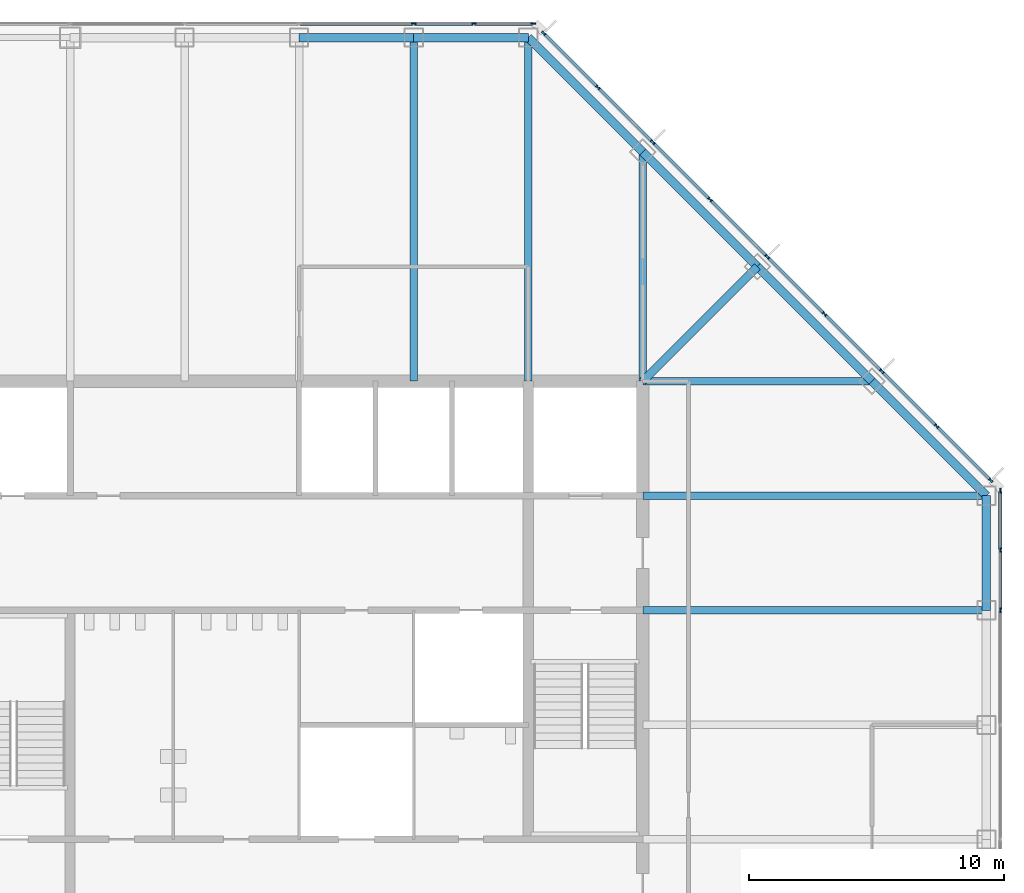
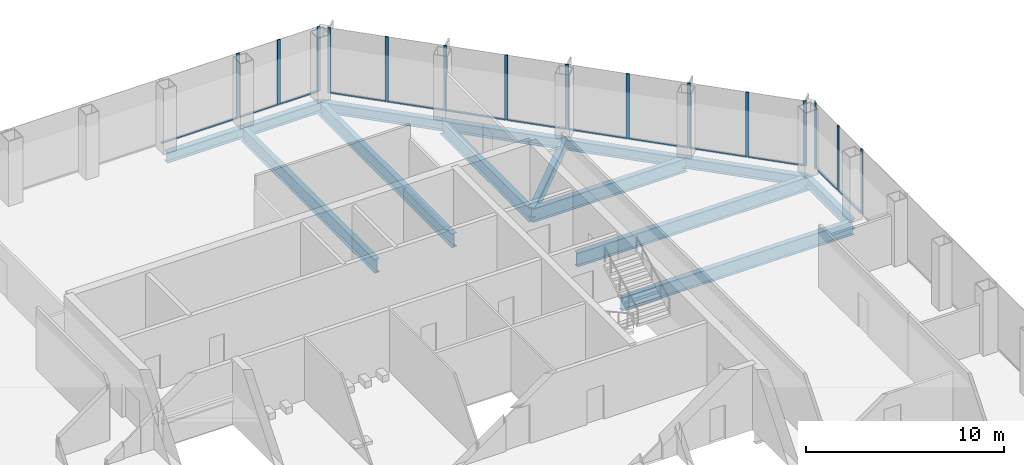
# One storey, part 6 of 12: 28 members, 14 beams, 3 elements without a shape of their own.
"""IFC4 building model written with IfcOpenShell, lengths in metres."""

import ifcopenshell
import ifcopenshell.guid

model = None  # the IFC model being written
_history = None  # IfcOwnerHistory: only IFC2X3 demands one
_inside = {}  # id of a spatial element -> (the spatial element, [elements in it])
_under = {}  # id of a project, library or spatial element -> (it, [spatial elements below it])
_declared = {}  # id of a project -> (the project, [libraries it declares])
_typed = {}  # id of a type object -> (the type object, [elements of that type])
_made_of = {}  # id of a material, layer set ... -> (it, [elements and type objects made of it])


def new_model(schema):
    """Start an empty IFC model of exactly this schema.

    Asked for "IFC4X3", IfcOpenShell would pick the latest addendum, in which some entities
    have other attributes; the version numbers below select the first issue.
    IFC2X3 requires an IfcOwnerHistory on every rooted entity: one is made here for all.
    """
    global model, _history
    if schema == "IFC4X3":
        model = ifcopenshell.file(schema_version=(4, 3, 0, 0))
    else:
        model = ifcopenshell.file(schema=schema)
    _inside.clear()
    _under.clear()
    _declared.clear()
    _typed.clear()
    _made_of.clear()
    _history = None
    if model.schema == "IFC2X3":
        org = make("IfcOrganization", Name="unknown")
        user = make(
            "IfcPersonAndOrganization",
            ThePerson=make("IfcPerson", FamilyName="unknown"),
            TheOrganization=org,
        )
        app = make(
            "IfcApplication",
            ApplicationDeveloper=org,
            Version="unknown",
            ApplicationFullName="unknown",
            ApplicationIdentifier="unknown",
        )
        _history = make(
            "IfcOwnerHistory",
            OwningUser=user,
            OwningApplication=app,
            ChangeAction="ADDED",
            CreationDate=0,
        )
    return model


def make(cls, **values):
    """One entity of the class cls with the attributes given. An attribute that is None is left unset."""
    return model.create_entity(
        cls, **{name: value for name, value in values.items() if value is not None}
    )


def rooted(cls, **values):
    """An entity with a GlobalId (a new one), such as an element, a storey or a relation."""
    return make(cls, GlobalId=ifcopenshell.guid.new(), OwnerHistory=_history, **values)


def si_unit(unit_type, name, prefix=None):
    """IfcSIUnit, for example si_unit("LENGTHUNIT", "METRE", prefix="MILLI")."""
    return make("IfcSIUnit", UnitType=unit_type, Prefix=prefix, Name=name)


def assignment(units):
    """IfcUnitAssignment: the units of a project."""
    return None if units is None else make("IfcUnitAssignment", Units=units)


def point(xyz):
    """IfcCartesianPoint."""
    return None if xyz is None else make("IfcCartesianPoint", Coordinates=xyz)


def direction(xyz):
    """IfcDirection."""
    return None if xyz is None else make("IfcDirection", DirectionRatios=xyz)


def frame(location, z_axis=None, x_axis=None):
    """IfcAxis2Placement3D, a coordinate frame: its origin and axes. An axis left out is left unset."""
    return make(
        "IfcAxis2Placement3D",
        Location=point(location),
        Axis=direction(z_axis),
        RefDirection=direction(x_axis),
    )


def frame_2d(location, x_axis=None):
    """IfcAxis2Placement2D, a coordinate frame in the plane: its origin and x axis."""
    return make(
        "IfcAxis2Placement2D", Location=point(location), RefDirection=direction(x_axis)
    )


def origin():
    """The frame at (0, 0, 0) with its axes left unset."""
    return frame((0.0, 0.0, 0.0))


def origin_2d():
    """The frame at (0, 0) in the plane with its x axis left unset."""
    return frame_2d((0.0, 0.0))


def place(relative_to, where):
    """IfcLocalPlacement: puts the frame where relative to a parent placement (None: the world)."""
    return make(
        "IfcLocalPlacement", PlacementRelTo=relative_to, RelativePlacement=where
    )


def context(
    kind, dimensions, precision=None, world=None, true_north=None, identifier=None
):
    """IfcGeometricRepresentationContext, for example the 3D "Model" context."""
    return make(
        "IfcGeometricRepresentationContext",
        ContextIdentifier=identifier,
        ContextType=kind,
        CoordinateSpaceDimension=dimensions,
        Precision=precision,
        WorldCoordinateSystem=world,
        TrueNorth=true_north,
    )


def subcontext(parent, identifier, kind, view, scale=None):
    """IfcGeometricRepresentationSubContext, for example "Body" below "Model"."""
    return make(
        "IfcGeometricRepresentationSubContext",
        ContextIdentifier=identifier,
        ContextType=kind,
        ParentContext=parent,
        TargetScale=scale,
        TargetView=view,
    )


def project(units=None, contexts=None):
    """IfcProject with its units and contexts."""
    return rooted(
        "IfcProject",
        Name="project",
        RepresentationContexts=contexts,
        UnitsInContext=assignment(units),
    )


def spatial(cls, under=None, at=None, **own):
    """A site, building, storey or space (cls), placed at a placement, below another one or the project."""
    s = rooted(cls, ObjectPlacement=at, **own)
    if under is not None:
        _under.setdefault(under.id(), (under, []))[1].append(s)
    return s


def profile(cls, at=None, kind="AREA", **sizes):
    """A parametric profile (cls). Its sizes go by their IFC names, for example OverallWidth=200.0."""
    return make(cls, ProfileType=kind, Position=at, **sizes)


def rectangle(**sizes):
    """IfcRectangleProfileDef."""
    return profile("IfcRectangleProfileDef", **sizes)


def i_section(**sizes):
    """IfcIShapeProfileDef."""
    return profile("IfcIShapeProfileDef", **sizes)


def extrude(swept, where, along, depth):
    """IfcExtrudedAreaSolid: the profile swept, set in the frame where, extruded along a direction by depth."""
    return make(
        "IfcExtrudedAreaSolid",
        SweptArea=swept,
        Position=where,
        ExtrudedDirection=direction(along),
        Depth=depth,
    )


def shape(context_of_items, identifier, shape_type, items):
    """IfcShapeRepresentation: the items that make up one representation, for example the "Body"."""
    return make(
        "IfcShapeRepresentation",
        ContextOfItems=context_of_items,
        RepresentationIdentifier=identifier,
        RepresentationType=shape_type,
        Items=items,
    )


def material(Name=None, Category=None):
    """IfcMaterial."""
    return make("IfcMaterial", Name=Name, Category=Category)


def material_profile(
    of_material, cross_section, Name=None, Category=None, Priority=None
):
    """IfcMaterialProfile: a cross section and its material."""
    return make(
        "IfcMaterialProfile",
        Name=Name,
        Material=of_material,
        Profile=cross_section,
        Priority=Priority,
        Category=Category,
    )


def profile_set(profiles, Name=None, composite=None):
    """IfcMaterialProfileSet."""
    return make(
        "IfcMaterialProfileSet",
        Name=Name,
        MaterialProfiles=profiles,
        CompositeProfile=composite,
    )


def made_of(thing, what):
    """Note that an element or type object is made of a material, layer set ...; save() writes the relation."""
    if what is not None:
        _made_of.setdefault(what.id(), (what, []))[1].append(thing)
    return thing


def type_object(cls, material=None, **own):
    """A type object (cls), such as IfcWallType, which elements share."""
    return made_of(rooted(cls, **own), material)


def element(
    cls,
    number,
    at=None,
    inside=None,
    cuts=None,
    type_object=None,
    material=None,
    context=None,
    identifier="Body",
    shape_type=None,
    held_by="IfcProductDefinitionShape",
    body=None,
    shapes=None,
    **own,
):
    """One element of the class cls, such as IfcWall. Its Tag is "e" and its number.

    at: its placement. inside: the storey or other place that contains it. cuts: it is an
    opening in that element (IfcRelVoidsElement). A single representation is given by context,
    identifier, shape_type and body (its items); several are given by shapes. held_by: the class
    of the entity that holds the representations. save() writes the other relations.
    """
    e = rooted(cls, Tag="e%d" % number, ObjectPlacement=at, **own)
    if body is not None:
        shapes = [shape(context, identifier, shape_type, body)]
    if shapes is not None:
        e.Representation = make(held_by, Representations=shapes)
    if inside is not None:
        _inside.setdefault(inside.id(), (inside, []))[1].append(e)
    if cuts is not None:
        rooted(
            "IfcRelVoidsElement", RelatingBuildingElement=cuts, RelatedOpeningElement=e
        )
    if type_object is not None:
        _typed.setdefault(type_object.id(), (type_object, []))[1].append(e)
    return made_of(e, material)


def aggregate(whole, parts):
    """IfcRelAggregates: a whole, such as a stair, and the parts it consists of."""
    return rooted("IfcRelAggregates", RelatingObject=whole, RelatedObjects=parts)


def save(model, path):
    """Write the relations noted so far, then the file.

    IfcRelAggregates (storeys below a building ...), IfcRelContainedInSpatialStructure (elements
    in a storey), IfcRelDefinesByType, IfcRelAssociatesMaterial and IfcRelDeclares: one each for
    every whole, place, type object, material and project.
    """
    for whole, parts in _under.values():
        aggregate(whole, parts)
    for where, things in _inside.values():
        rooted(
            "IfcRelContainedInSpatialStructure",
            RelatedElements=things,
            RelatingStructure=where,
        )
    for kind, things in _typed.values():
        rooted("IfcRelDefinesByType", RelatedObjects=things, RelatingType=kind)
    for what, things in _made_of.values():
        rooted("IfcRelAssociatesMaterial", RelatedObjects=things, RelatingMaterial=what)
    for by, libraries in _declared.values():
        rooted("IfcRelDeclares", RelatingContext=by, RelatedDefinitions=libraries)
    model.write(path)


model = new_model("IFC4")

# Units and contexts
model_context = context("Model", 3, precision=1e-05, world=origin(), true_north=direction((0.0, 1.0)))
body_context = subcontext(model_context, "Body", "Model", "MODEL_VIEW")
ifc_project = project(units=[si_unit("LENGTHUNIT", "METRE"), si_unit("AREAUNIT", "SQUARE_METRE"), si_unit("VOLUMEUNIT", "CUBIC_METRE"), si_unit("PLANEANGLEUNIT", "RADIAN"), si_unit("MASSUNIT", "GRAM", prefix="KILO")], contexts=[model_context])

# Site, building, storey
site_placement = place(None, origin())
site = spatial("IfcSite", under=ifc_project, at=site_placement, CompositionType="ELEMENT")
building_placement = place(site_placement, origin())
building = spatial("IfcBuilding", under=site, at=building_placement, Name="Corais Broadcast Tower", CompositionType="ELEMENT")
storey_placement = place(building_placement, frame((0.0, 0.0, 139.60009765625)))
storey = spatial("IfcBuildingStorey", under=building, at=storey_placement, Name="L31", CompositionType="ELEMENT", Elevation=139.60009765625)

# Beams
ifc_material_1 = material(Name="Steel ASTM A572 Grade 50", Category="steel")
ifc_material_profile_1 = material_profile(ifc_material_1, i_section(OverallWidth=0.323974609375, OverallDepth=0.611083984375, WebThickness=0.0126953125, FlangeThickness=0.01904296875, at=origin_2d()), Name="W610x155")
ifc_profile_set_1 = profile_set([ifc_material_profile_1], Name="Steel ASTM A572 Grade 50")
beam_type_1 = type_object("IfcBeamType", Name="Corner diagonal W610x155", PredefinedType="BEAM", material=ifc_profile_set_1)
beam_1_placement = place(storey_placement, frame((45.0, 45.0, -0.465576171875), z_axis=(-0.707106781187, -0.707106781187, 0.0), x_axis=(0.707106781187, -0.707106781187, 0.0)))
element("IfcBeam", 1, at=beam_1_placement, inside=storey, type_object=beam_type_1, Name="B6 L/13 to K/12", PredefinedType="BEAM", context=body_context, shape_type="SweptSolid", body=[
    extrude(i_section(OverallWidth=0.323974609375, OverallDepth=0.611083984375, WebThickness=0.0126953125, FlangeThickness=0.01904296875, at=origin_2d()), origin(), (0.0, 0.0, 1.0), 6.364013671875),
])
ifc_material_2 = material(Name="Steel ASTM A572 Grade 50", Category="steel")
ifc_material_profile_2 = material_profile(ifc_material_2, i_section(OverallWidth=0.2939453125, OverallDepth=0.85107421875, WebThickness=0.01611328125, FlangeThickness=0.02685546875, at=origin_2d()), Name="W840x226")
ifc_profile_set_2 = profile_set([ifc_material_profile_2], Name="Steel ASTM A572 Grade 50")
beam_type_2 = type_object("IfcBeamType", Name="Floor beam W840x226", PredefinedType="BEAM", material=ifc_profile_set_2)
for number, where, z_axis, x_axis, name in (
    (2, (31.5, 54.0, -0.585693359375), (0.0, -1.0, 0.0), (1.0, 0.0, 0.0), "B1 N/10 to K/10"),
    (3, (36.0, 54.0, -0.585693359375), (0.0, -1.0, 0.0), (1.0, 0.0, 0.0), "B1 N/11 to K/11"),
):
    element("IfcBeam", number, at=place(storey_placement, frame(where, z_axis=z_axis, x_axis=x_axis)), inside=storey, type_object=beam_type_2, Name=name, PredefinedType="BEAM", context=body_context, shape_type="SweptSolid", body=[
        extrude(i_section(OverallWidth=0.2939453125, OverallDepth=0.85107421875, WebThickness=0.01611328125, FlangeThickness=0.02685546875, at=origin_2d()), origin(), (0.0, 0.0, 1.0), 13.5),
    ])
for number, where, z_axis, x_axis, name in (
    (4, (40.5, 49.5, -0.585693359375), (0.0, -1.0, 0.0), (1.0, 0.0, 0.0), "B1 M/12 to K/12"),
    (5, (49.5, 40.5, -0.585693359375), (-1.0, 0.0, 0.0), (0.0, -1.0, 0.0), "B1 K/14 to K/12"),
):
    element("IfcBeam", number, at=place(storey_placement, frame(where, z_axis=z_axis, x_axis=x_axis)), inside=storey, type_object=beam_type_2, Name=name, PredefinedType="BEAM", context=body_context, shape_type="SweptSolid", body=[
        extrude(i_section(OverallWidth=0.2939453125, OverallDepth=0.85107421875, WebThickness=0.01611328125, FlangeThickness=0.02685546875, at=origin_2d()), origin(), (0.0, 0.0, 1.0), 9.0),
    ])
for number, where, z_axis, x_axis, name in (
    (6, (54.0, 31.5, -0.585693359375), (-1.0, 0.0, 0.0), (0.0, -1.0, 0.0), "B1 H/15 to H/12"),
    (7, (54.0, 36.0, -0.585693359375), (-1.0, 0.0, 0.0), (0.0, -1.0, 0.0), "B1 J/15 to J/12"),
):
    element("IfcBeam", number, at=place(storey_placement, frame(where, z_axis=z_axis, x_axis=x_axis)), inside=storey, type_object=beam_type_2, Name=name, PredefinedType="BEAM", context=body_context, shape_type="SweptSolid", body=[
        extrude(i_section(OverallWidth=0.2939453125, OverallDepth=0.85107421875, WebThickness=0.01611328125, FlangeThickness=0.02685546875, at=origin_2d()), origin(), (0.0, 0.0, 1.0), 13.5),
    ])

# Curtain wall, members
ifc_material_3 = material(Name="Aluminium and glass", Category="aluminium")
curtain_wall_type = type_object("IfcCurtainWallType", Name="Unitised fritted curtain wall CW2", PredefinedType="NOTDEFINED", material=ifc_material_3)
curtain_wall_1_placement = place(storey_placement, origin())
curtain_wall_1 = element("IfcCurtainWall", 8, at=curtain_wall_1_placement, inside=storey, type_object=curtain_wall_type, Name="CW2 curtain wall L31 4", PredefinedType="NOTDEFINED")
ifc_material_4 = material(Name="Aluminium 6063-T6", Category="aluminium")
ifc_material_profile_3 = material_profile(ifc_material_4, rectangle(XDim=0.06494140625, YDim=0.179931640625, at=origin_2d()), Name="Mullion CW2 65x180")
ifc_profile_set_3 = profile_set([ifc_material_profile_3], Name="Aluminium 6063-T6")
member_type_1 = type_object("IfcMemberType", Name="Mullion CW2 65x180", PredefinedType="MULLION", material=ifc_profile_set_3)
member_1_placement = place(storey_placement, frame((31.5, 54.550048828125, 0.0), z_axis=(0.0, 0.0, 1.0), x_axis=(0.0, 1.0, 0.0)))
member_1 = element("IfcMember", 9, at=member_1_placement, type_object=member_type_1, Name="CW2 mullion 7", PredefinedType="MULLION", context=body_context, shape_type="SweptSolid", body=[
    extrude(rectangle(XDim=0.06494140625, YDim=0.179931640625, at=origin_2d()), origin(), (0.0, 0.0, 1.0), 4.0),
])
member_2_placement = place(storey_placement, frame((33.864013671875, 54.550048828125, 0.0), z_axis=(0.0, 0.0, 1.0), x_axis=(0.0, 1.0, 0.0)))
member_2 = element("IfcMember", 10, at=member_2_placement, type_object=member_type_1, Name="CW2 mullion 8", PredefinedType="MULLION", context=body_context, shape_type="SweptSolid", body=[
    extrude(rectangle(XDim=0.06494140625, YDim=0.179931640625, at=origin_2d()), origin(), (0.0, 0.0, 1.0), 4.0),
])
member_3_placement = place(storey_placement, frame((36.1953125, 54.550048828125, 0.0), z_axis=(0.0, 0.0, 1.0), x_axis=(0.0, 1.0, 0.0)))
member_3 = element("IfcMember", 11, at=member_3_placement, type_object=member_type_1, Name="CW2 mullion 9", PredefinedType="MULLION", context=body_context, shape_type="SweptSolid", body=[
    extrude(rectangle(XDim=0.06494140625, YDim=0.179931640625, at=origin_2d()), origin(), (0.0, 0.0, 1.0), 4.0),
])

curtain_wall_2_placement = place(storey_placement, origin())
curtain_wall_2 = element("IfcCurtainWall", 12, at=curtain_wall_2_placement, inside=storey, type_object=curtain_wall_type, Name="CW2 curtain wall L31 5", PredefinedType="NOTDEFINED")
member_4_placement = place(storey_placement, frame((36.6044921875, 54.17333984375, 0.0), z_axis=(0.0, 0.0, 1.0), x_axis=(0.707106781187, 0.707106781187, 0.0)))
member_4 = element("IfcMember", 13, at=member_4_placement, type_object=member_type_1, Name="CW2 mullion 1", PredefinedType="MULLION", context=body_context, shape_type="SweptSolid", body=[
    extrude(rectangle(XDim=0.06494140625, YDim=0.179931640625, at=origin_2d()), origin(), (0.0, 0.0, 1.0), 4.0),
])
member_5_placement = place(storey_placement, frame((38.735107421875, 52.042724609375, 0.0), z_axis=(0.0, 0.0, 1.0), x_axis=(0.707106781187, 0.707106781187, 0.0)))
member_5 = element("IfcMember", 14, at=member_5_placement, type_object=member_type_1, Name="CW2 mullion 2", PredefinedType="MULLION", context=body_context, shape_type="SweptSolid", body=[
    extrude(rectangle(XDim=0.06494140625, YDim=0.179931640625, at=origin_2d()), origin(), (0.0, 0.0, 1.0), 4.0),
])
member_6_placement = place(storey_placement, frame((40.888916015625, 49.888916015625, 0.0), z_axis=(0.0, 0.0, 1.0), x_axis=(0.707106781187, 0.707106781187, 0.0)))
member_6 = element("IfcMember", 15, at=member_6_placement, type_object=member_type_1, Name="CW2 mullion 3", PredefinedType="MULLION", context=body_context, shape_type="SweptSolid", body=[
    extrude(rectangle(XDim=0.06494140625, YDim=0.179931640625, at=origin_2d()), origin(), (0.0, 0.0, 1.0), 4.0),
])
member_7_placement = place(storey_placement, frame((43.138916015625, 47.638916015625, 0.0), z_axis=(0.0, 0.0, 1.0), x_axis=(0.707106781187, 0.707106781187, 0.0)))
member_7 = element("IfcMember", 16, at=member_7_placement, type_object=member_type_1, Name="CW2 mullion 4", PredefinedType="MULLION", context=body_context, shape_type="SweptSolid", body=[
    extrude(rectangle(XDim=0.06494140625, YDim=0.179931640625, at=origin_2d()), origin(), (0.0, 0.0, 1.0), 4.0),
])
member_8_placement = place(storey_placement, frame((45.388916015625, 45.388916015625, 0.0), z_axis=(0.0, 0.0, 1.0), x_axis=(0.707106781187, 0.707106781187, 0.0)))
member_8 = element("IfcMember", 17, at=member_8_placement, type_object=member_type_1, Name="CW2 mullion 5", PredefinedType="MULLION", context=body_context, shape_type="SweptSolid", body=[
    extrude(rectangle(XDim=0.06494140625, YDim=0.179931640625, at=origin_2d()), origin(), (0.0, 0.0, 1.0), 4.0),
])
member_9_placement = place(storey_placement, frame((47.638916015625, 43.138916015625, 0.0), z_axis=(0.0, 0.0, 1.0), x_axis=(0.707106781187, 0.707106781187, 0.0)))
member_9 = element("IfcMember", 18, at=member_9_placement, type_object=member_type_1, Name="CW2 mullion 6", PredefinedType="MULLION", context=body_context, shape_type="SweptSolid", body=[
    extrude(rectangle(XDim=0.06494140625, YDim=0.179931640625, at=origin_2d()), origin(), (0.0, 0.0, 1.0), 4.0),
])
member_10_placement = place(storey_placement, frame((49.888916015625, 40.888916015625, 0.0), z_axis=(0.0, 0.0, 1.0), x_axis=(0.707106781187, 0.707106781187, 0.0)))
member_10 = element("IfcMember", 19, at=member_10_placement, type_object=member_type_1, Name="CW2 mullion 7", PredefinedType="MULLION", context=body_context, shape_type="SweptSolid", body=[
    extrude(rectangle(XDim=0.06494140625, YDim=0.179931640625, at=origin_2d()), origin(), (0.0, 0.0, 1.0), 4.0),
])
member_11_placement = place(storey_placement, frame((52.042724609375, 38.735107421875, 0.0), z_axis=(0.0, 0.0, 1.0), x_axis=(0.707106781187, 0.707106781187, 0.0)))
member_11 = element("IfcMember", 20, at=member_11_placement, type_object=member_type_1, Name="CW2 mullion 8", PredefinedType="MULLION", context=body_context, shape_type="SweptSolid", body=[
    extrude(rectangle(XDim=0.06494140625, YDim=0.179931640625, at=origin_2d()), origin(), (0.0, 0.0, 1.0), 4.0),
])
member_12_placement = place(storey_placement, frame((54.17333984375, 36.6044921875, 0.0), z_axis=(0.0, 0.0, 1.0), x_axis=(0.707106781187, 0.707106781187, 0.0)))
member_12 = element("IfcMember", 21, at=member_12_placement, type_object=member_type_1, Name="CW2 mullion 9", PredefinedType="MULLION", context=body_context, shape_type="SweptSolid", body=[
    extrude(rectangle(XDim=0.06494140625, YDim=0.179931640625, at=origin_2d()), origin(), (0.0, 0.0, 1.0), 4.0),
])

curtain_wall_3_placement = place(storey_placement, origin())
curtain_wall_3 = element("IfcCurtainWall", 22, at=curtain_wall_3_placement, inside=storey, type_object=curtain_wall_type, Name="CW2 curtain wall L31 6", PredefinedType="NOTDEFINED")
member_13_placement = place(storey_placement, frame((54.550048828125, 36.1953125, 0.0), z_axis=(0.0, 0.0, 1.0), x_axis=(1.0, 0.0, 0.0)))
member_13 = element("IfcMember", 23, at=member_13_placement, type_object=member_type_1, Name="CW2 mullion 1", PredefinedType="MULLION", context=body_context, shape_type="SweptSolid", body=[
    extrude(rectangle(XDim=0.06494140625, YDim=0.179931640625, at=origin_2d()), origin(), (0.0, 0.0, 1.0), 4.0),
])
member_14_placement = place(storey_placement, frame((54.550048828125, 33.864013671875, 0.0), z_axis=(0.0, 0.0, 1.0), x_axis=(1.0, 0.0, 0.0)))
member_14 = element("IfcMember", 24, at=member_14_placement, type_object=member_type_1, Name="CW2 mullion 2", PredefinedType="MULLION", context=body_context, shape_type="SweptSolid", body=[
    extrude(rectangle(XDim=0.06494140625, YDim=0.179931640625, at=origin_2d()), origin(), (0.0, 0.0, 1.0), 4.0),
])
member_15_placement = place(storey_placement, frame((54.550048828125, 31.5, 0.0), z_axis=(0.0, 0.0, 1.0), x_axis=(1.0, 0.0, 0.0)))
member_15 = element("IfcMember", 25, at=member_15_placement, type_object=member_type_1, Name="CW2 mullion 3", PredefinedType="MULLION", context=body_context, shape_type="SweptSolid", body=[
    extrude(rectangle(XDim=0.06494140625, YDim=0.179931640625, at=origin_2d()), origin(), (0.0, 0.0, 1.0), 4.0),
])

# Beams
ifc_material_5 = material(Name="Steel ASTM A572 Grade 50", Category="steel")
ifc_material_profile_4 = material_profile(ifc_material_5, i_section(OverallWidth=0.3291015625, OverallDepth=0.635009765625, WebThickness=0.017822265625, FlangeThickness=0.031005859375, at=origin_2d()), Name="W610x241")
ifc_profile_set_4 = profile_set([ifc_material_profile_4], Name="Steel ASTM A572 Grade 50")
beam_type_3 = type_object("IfcBeamType", Name="Spandrel W610x241", PredefinedType="BEAM", material=ifc_profile_set_4)
for number, where, z_axis, x_axis, name in (
    (26, (31.5, 54.0, -0.4775390625), (-1.0, 0.0, 0.0), (0.0, -1.0, 0.0), "SB1 N/10 to N/9"),
    (27, (36.0, 54.0, -0.4775390625), (-1.0, 0.0, 0.0), (0.0, -1.0, 0.0), "SB1 N/11 to N/10"),
):
    element("IfcBeam", number, at=place(storey_placement, frame(where, z_axis=z_axis, x_axis=x_axis)), inside=storey, type_object=beam_type_3, Name=name, PredefinedType="BEAM", context=body_context, shape_type="SweptSolid", body=[
        extrude(i_section(OverallWidth=0.3291015625, OverallDepth=0.635009765625, WebThickness=0.017822265625, FlangeThickness=0.031005859375, at=origin_2d()), origin(), (0.0, 0.0, 1.0), 4.5),
    ])
for number, where, z_axis, x_axis, name in (
    (28, (40.5, 49.5, -0.4775390625), (-0.707106781187, 0.707106781187, 0.0), (-0.707106781187, -0.707106781187, 0.0), "SB1 M/12 to N/11"),
    (29, (45.0, 45.0, -0.4775390625), (-0.707106781187, 0.707106781187, 0.0), (-0.707106781187, -0.707106781187, 0.0), "SB1 L/13 to M/12"),
    (30, (49.5, 40.5, -0.4775390625), (-0.707106781187, 0.707106781187, 0.0), (-0.707106781187, -0.707106781187, 0.0), "SB1 K/14 to L/13"),
):
    element("IfcBeam", number, at=place(storey_placement, frame(where, z_axis=z_axis, x_axis=x_axis)), inside=storey, type_object=beam_type_3, Name=name, PredefinedType="BEAM", context=body_context, shape_type="SweptSolid", body=[
        extrude(i_section(OverallWidth=0.3291015625, OverallDepth=0.635009765625, WebThickness=0.017822265625, FlangeThickness=0.031005859375, at=origin_2d()), origin(), (0.0, 0.0, 1.0), 6.364013671875),
    ])
beam_2_placement = place(storey_placement, frame((54.0, 31.5, -0.4775390625), z_axis=(0.0, 1.0, 0.0), x_axis=(-1.0, 0.0, 0.0)))
element("IfcBeam", 31, at=beam_2_placement, inside=storey, type_object=beam_type_3, Name="SB1 H/15 to J/15", PredefinedType="BEAM", context=body_context, shape_type="SweptSolid", body=[
    extrude(i_section(OverallWidth=0.3291015625, OverallDepth=0.635009765625, WebThickness=0.017822265625, FlangeThickness=0.031005859375, at=origin_2d()), origin(), (0.0, 0.0, 1.0), 4.5),
])
beam_3_placement = place(storey_placement, frame((54.0, 36.0, -0.4775390625), z_axis=(-0.707106781187, 0.707106781187, 0.0), x_axis=(-0.707106781187, -0.707106781187, 0.0)))
element("IfcBeam", 32, at=beam_3_placement, inside=storey, type_object=beam_type_3, Name="SB1 J/15 to K/14", PredefinedType="BEAM", context=body_context, shape_type="SweptSolid", body=[
    extrude(i_section(OverallWidth=0.3291015625, OverallDepth=0.635009765625, WebThickness=0.017822265625, FlangeThickness=0.031005859375, at=origin_2d()), origin(), (0.0, 0.0, 1.0), 6.364013671875),
])

# Member
ifc_material_6 = material(Name="Aluminium 6063-T6", Category="aluminium")
ifc_material_profile_5 = material_profile(ifc_material_6, rectangle(XDim=0.1298828125, YDim=0.06494140625, at=origin_2d()), Name="Transom CW2 65x130")
ifc_profile_set_5 = profile_set([ifc_material_profile_5], Name="Aluminium 6063-T6")
member_type_2 = type_object("IfcMemberType", Name="Transom CW2 65x130", PredefinedType="USERDEFINED", material=ifc_profile_set_5)
member_16_placement = place(storey_placement, frame((27.032470703125, 54.550048828125, 0.032470703125), z_axis=(1.0, 0.0, 0.0), x_axis=(0.0, 1.0, 0.0)))
member_16 = element("IfcMember", 33, at=member_16_placement, type_object=member_type_2, Name="CW2 transom 6.1", ObjectType="TRANSOM", PredefinedType="USERDEFINED", context=body_context, shape_type="SweptSolid", body=[
    extrude(rectangle(XDim=0.1298828125, YDim=0.06494140625, at=origin_2d()), origin(), (0.0, 0.0, 1.0), 4.43505859375),
])

member_17_placement = place(storey_placement, frame((31.532470703125, 54.550048828125, 0.032470703125), z_axis=(1.0, 0.0, 0.0), x_axis=(0.0, 1.0, 0.0)))
member_17 = element("IfcMember", 34, at=member_17_placement, type_object=member_type_2, Name="CW2 transom 7.1", ObjectType="TRANSOM", PredefinedType="USERDEFINED", context=body_context, shape_type="SweptSolid", body=[
    extrude(rectangle(XDim=0.1298828125, YDim=0.06494140625, at=origin_2d()), origin(), (0.0, 0.0, 1.0), 2.298828125),
])

member_18_placement = place(storey_placement, frame((33.896484375, 54.550048828125, 0.032470703125), z_axis=(1.0, 0.0, 0.0), x_axis=(0.0, 1.0, 0.0)))
member_18 = element("IfcMember", 35, at=member_18_placement, type_object=member_type_2, Name="CW2 transom 8.1", ObjectType="TRANSOM", PredefinedType="USERDEFINED", context=body_context, shape_type="SweptSolid", body=[
    extrude(rectangle(XDim=0.1298828125, YDim=0.06494140625, at=origin_2d()), origin(), (0.0, 0.0, 1.0), 2.266357421875),
])

aggregate(curtain_wall_1, [member_1, member_2, member_3, member_16, member_17, member_18])

member_19_placement = place(storey_placement, frame((36.62744140625, 54.150390625, 0.032470703125), z_axis=(0.707106781187, -0.707106781187, 0.0), x_axis=(0.707106781187, 0.707106781187, 0.0)))
member_19 = element("IfcMember", 36, at=member_19_placement, type_object=member_type_2, Name="CW2 transom 1.1", ObjectType="TRANSOM", PredefinedType="USERDEFINED", context=body_context, shape_type="SweptSolid", body=[
    extrude(rectangle(XDim=0.1298828125, YDim=0.06494140625, at=origin_2d()), origin(), (0.0, 0.0, 1.0), 2.9482421875),
])

member_20_placement = place(storey_placement, frame((38.758056640625, 52.019775390625, 0.032470703125), z_axis=(0.707106781187, -0.707106781187, 0.0), x_axis=(0.707106781187, 0.707106781187, 0.0)))
member_20 = element("IfcMember", 37, at=member_20_placement, type_object=member_type_2, Name="CW2 transom 2.1", ObjectType="TRANSOM", PredefinedType="USERDEFINED", context=body_context, shape_type="SweptSolid", body=[
    extrude(rectangle(XDim=0.1298828125, YDim=0.06494140625, at=origin_2d()), origin(), (0.0, 0.0, 1.0), 2.98095703125),
])

member_21_placement = place(storey_placement, frame((40.911865234375, 49.865966796875, 0.032470703125), z_axis=(0.707106781187, -0.707106781187, 0.0), x_axis=(0.707106781187, 0.707106781187, 0.0)))
member_21 = element("IfcMember", 38, at=member_21_placement, type_object=member_type_2, Name="CW2 transom 3.1", ObjectType="TRANSOM", PredefinedType="USERDEFINED", context=body_context, shape_type="SweptSolid", body=[
    extrude(rectangle(XDim=0.1298828125, YDim=0.06494140625, at=origin_2d()), origin(), (0.0, 0.0, 1.0), 3.1171875),
])

member_22_placement = place(storey_placement, frame((43.161865234375, 47.615966796875, 0.032470703125), z_axis=(0.707106781187, -0.707106781187, 0.0), x_axis=(0.707106781187, 0.707106781187, 0.0)))
member_22 = element("IfcMember", 39, at=member_22_placement, type_object=member_type_2, Name="CW2 transom 4.1", ObjectType="TRANSOM", PredefinedType="USERDEFINED", context=body_context, shape_type="SweptSolid", body=[
    extrude(rectangle(XDim=0.1298828125, YDim=0.06494140625, at=origin_2d()), origin(), (0.0, 0.0, 1.0), 3.1171875),
])

member_23_placement = place(storey_placement, frame((45.411865234375, 45.365966796875, 0.032470703125), z_axis=(0.707106781187, -0.707106781187, 0.0), x_axis=(0.707106781187, 0.707106781187, 0.0)))
member_23 = element("IfcMember", 40, at=member_23_placement, type_object=member_type_2, Name="CW2 transom 5.1", ObjectType="TRANSOM", PredefinedType="USERDEFINED", context=body_context, shape_type="SweptSolid", body=[
    extrude(rectangle(XDim=0.1298828125, YDim=0.06494140625, at=origin_2d()), origin(), (0.0, 0.0, 1.0), 3.1171875),
])

member_24_placement = place(storey_placement, frame((47.661865234375, 43.115966796875, 0.032470703125), z_axis=(0.707106781187, -0.707106781187, 0.0), x_axis=(0.707106781187, 0.707106781187, 0.0)))
member_24 = element("IfcMember", 41, at=member_24_placement, type_object=member_type_2, Name="CW2 transom 6.1", ObjectType="TRANSOM", PredefinedType="USERDEFINED", context=body_context, shape_type="SweptSolid", body=[
    extrude(rectangle(XDim=0.1298828125, YDim=0.06494140625, at=origin_2d()), origin(), (0.0, 0.0, 1.0), 3.1171875),
])

member_25_placement = place(storey_placement, frame((49.911865234375, 40.865966796875, 0.032470703125), z_axis=(0.707065828661, -0.70714773134, 0.0), x_axis=(0.70714773134, 0.707065828661, 0.0)))
member_25 = element("IfcMember", 42, at=member_25_placement, type_object=member_type_2, Name="CW2 transom 7.1", ObjectType="TRANSOM", PredefinedType="USERDEFINED", context=body_context, shape_type="SweptSolid", body=[
    extrude(rectangle(XDim=0.1298828125, YDim=0.06494140625, at=origin_2d()), origin(), (0.0, 0.0, 1.0), 2.98095703125),
])

member_26_placement = place(storey_placement, frame((52.065673828125, 38.712158203125, 0.032470703125), z_axis=(0.707106781187, -0.707106781187, 0.0), x_axis=(0.707106781187, 0.707106781187, 0.0)))
member_26 = element("IfcMember", 43, at=member_26_placement, type_object=member_type_2, Name="CW2 transom 8.1", ObjectType="TRANSOM", PredefinedType="USERDEFINED", context=body_context, shape_type="SweptSolid", body=[
    extrude(rectangle(XDim=0.1298828125, YDim=0.06494140625, at=origin_2d()), origin(), (0.0, 0.0, 1.0), 2.9482421875),
])

aggregate(curtain_wall_2, [member_4, member_5, member_6, member_7, member_8, member_9, member_10, member_11, member_12, member_19, member_20, member_21, member_22, member_23, member_24, member_25, member_26])

member_27_placement = place(storey_placement, frame((54.550048828125, 36.162841796875, 0.032470703125), z_axis=(0.0, -1.0, 0.0), x_axis=(1.0, 0.0, 0.0)))
member_27 = element("IfcMember", 44, at=member_27_placement, type_object=member_type_2, Name="CW2 transom 1.1", ObjectType="TRANSOM", PredefinedType="USERDEFINED", context=body_context, shape_type="SweptSolid", body=[
    extrude(rectangle(XDim=0.1298828125, YDim=0.06494140625, at=origin_2d()), origin(), (0.0, 0.0, 1.0), 2.266357421875),
])

member_28_placement = place(storey_placement, frame((54.550048828125, 33.831298828125, 0.032470703125), z_axis=(0.0, -1.0, 0.0), x_axis=(1.0, 0.0, 0.0)))
member_28 = element("IfcMember", 45, at=member_28_placement, type_object=member_type_2, Name="CW2 transom 2.1", ObjectType="TRANSOM", PredefinedType="USERDEFINED", context=body_context, shape_type="SweptSolid", body=[
    extrude(rectangle(XDim=0.1298828125, YDim=0.06494140625, at=origin_2d()), origin(), (0.0, 0.0, 1.0), 2.298828125),
])

aggregate(curtain_wall_3, [member_13, member_14, member_15, member_27, member_28])

save(model, "model.ifc")
